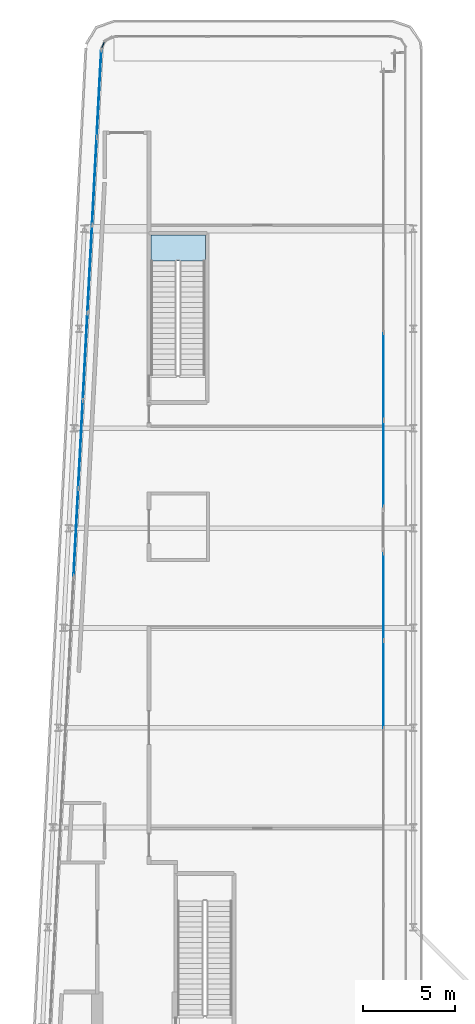
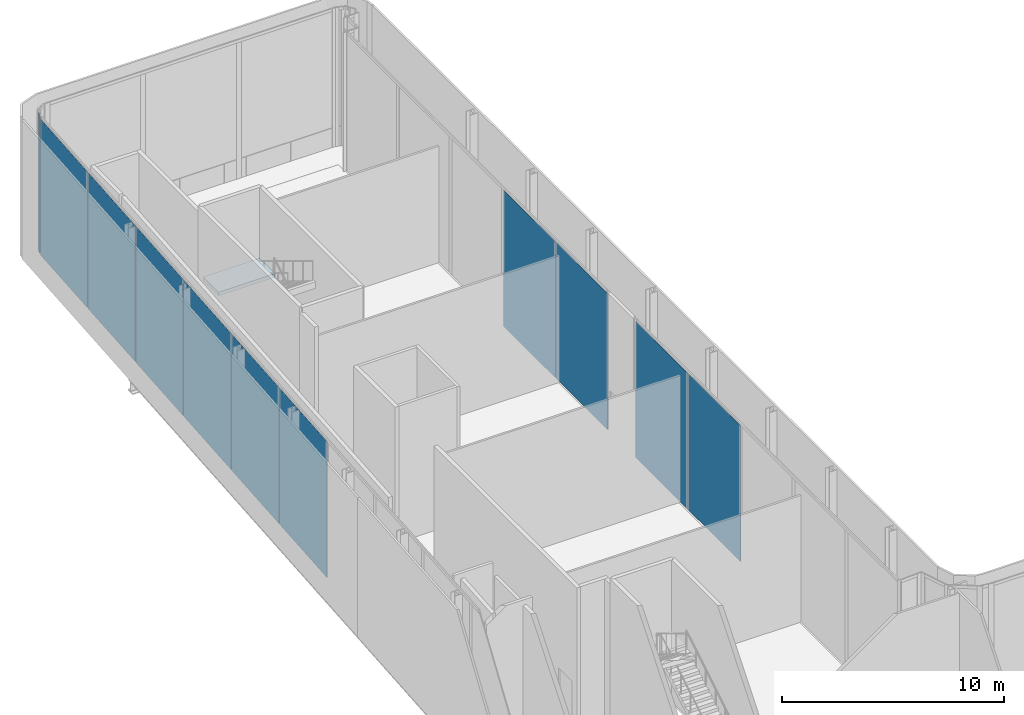
# One storey, part 18 of 27: 11 plates, 1 slab, 5 elements without a shape of their own.
"""IFC4 building model written with IfcOpenShell, lengths in metres."""

from ifc_helpers import new_model, si_unit, direction, frame, origin, origin_2d, place, context, subcontext, project, spatial, polyline, rectangle, outline, extrude, material, layer, layer_set, type_object, element, aggregate, save


model = new_model("IFC4")

# Units and contexts
model_context = context("Model", 3, precision=1e-05, world=origin(), true_north=direction((0.0, 1.0)))
body_context = subcontext(model_context, "Body", "Model", "MODEL_VIEW")
ifc_project = project(units=[si_unit("LENGTHUNIT", "METRE"), si_unit("AREAUNIT", "SQUARE_METRE"), si_unit("VOLUMEUNIT", "CUBIC_METRE"), si_unit("PLANEANGLEUNIT", "RADIAN"), si_unit("MASSUNIT", "GRAM", prefix="KILO")], contexts=[model_context])

# Site, building, storey
site_placement = place(None, origin())
site = spatial("IfcSite", under=ifc_project, at=site_placement, CompositionType="ELEMENT")
building_placement = place(site_placement, origin())
building = spatial("IfcBuilding", under=site, at=building_placement, Name="Kheshtan School and Residences Tower", CompositionType="ELEMENT")
storey_placement = place(building_placement, frame((0.0, 0.0, 266.89990234375)))
storey = spatial("IfcBuildingStorey", under=building, at=storey_placement, Name="L63", CompositionType="ELEMENT", Elevation=266.89990234375)

# Curtain wall, plates
ifc_material_1 = material(Name="Clear low-e glass in thermally broken aluminium frame", Category="aluminium")
ifc_layer_1 = layer(ifc_material_1, 0.25)
ifc_layer_set_1 = layer_set([ifc_layer_1], Name="Curtain wall CW-G")
curtain_wall_type_1 = type_object("IfcCurtainWallType", Name="Curtain wall CW-G", PredefinedType="NOTDEFINED", material=ifc_layer_set_1)
curtain_wall_1_placement = place(storey_placement, origin())
curtain_wall_1 = element("IfcCurtainWall", 1, at=curtain_wall_1_placement, inside=storey, type_object=curtain_wall_type_1, Name="Curtain wall CWG19b", PredefinedType="NOTDEFINED")
ifc_layer_2 = layer(ifc_material_1, 0.0380859375)
ifc_layer_set_2 = layer_set([ifc_layer_2], Name="CW-G glass panel")
plate_type_1 = type_object("IfcPlateType", Name="CW-G glass panel", PredefinedType="CURTAIN_PANEL", material=ifc_layer_set_2)
plate_1_placement = place(storey_placement, frame((46.0, 80.81005859375, 0.0), z_axis=(0.0, 0.0, 1.0), x_axis=(0.0, -1.0, 0.0)))
plate_1 = element("IfcPlate", 2, at=plate_1_placement, type_object=plate_type_1, Name="CWG19b panel 4.1", PredefinedType="CURTAIN_PANEL", context=body_context, shape_type="SweptSolid", body=[
    extrude(rectangle(XDim=4.679931640625, YDim=0.0380859375, at=origin_2d()), origin(), (0.0, 0.0, 1.0), 7.489990234375),
])
plate_2_placement = place(storey_placement, frame((46.0, 76.0849609375, 0.0), z_axis=(0.0, 0.0, 1.0), x_axis=(0.0, -1.0, 0.0)))
plate_2 = element("IfcPlate", 3, at=plate_2_placement, type_object=plate_type_1, Name="CWG19b panel 5.1", PredefinedType="CURTAIN_PANEL", context=body_context, shape_type="SweptSolid", body=[
    extrude(rectangle(XDim=4.64990234375, YDim=0.0380859375, at=origin_2d()), origin(), (0.0, 0.0, 1.0), 7.489990234375),
])
aggregate(curtain_wall_1, [plate_1, plate_2])

curtain_wall_2_placement = place(storey_placement, origin())
curtain_wall_2 = element("IfcCurtainWall", 4, at=curtain_wall_2_placement, inside=storey, type_object=curtain_wall_type_1, Name="Curtain wall CWG19c", PredefinedType="NOTDEFINED")
plate_3_placement = place(storey_placement, frame((46.0, 68.89794921875, 0.0), z_axis=(0.0, 0.0, 1.0), x_axis=(0.0, -1.0, 0.0)))
plate_3 = element("IfcPlate", 5, at=plate_3_placement, type_object=plate_type_1, Name="CWG19c panel 1.1", PredefinedType="CURTAIN_PANEL", context=body_context, shape_type="SweptSolid", body=[
    extrude(rectangle(XDim=4.68408203125, YDim=0.0380859375, at=origin_2d()), origin(), (0.0, 0.0, 1.0), 7.489990234375),
])
plate_4_placement = place(storey_placement, frame((46.0, 64.138916015625, 0.0), z_axis=(0.0, 0.0, 1.0), x_axis=(0.0, -1.0, 0.0)))
plate_4 = element("IfcPlate", 6, at=plate_4_placement, type_object=plate_type_1, Name="CWG19c panel 2.1", PredefinedType="CURTAIN_PANEL", context=body_context, shape_type="SweptSolid", body=[
    extrude(rectangle(XDim=4.714111328125, YDim=0.0380859375, at=origin_2d()), origin(), (0.0, 0.0, 1.0), 7.489990234375),
])
aggregate(curtain_wall_2, [plate_3, plate_4])

ifc_layer_3 = layer(ifc_material_1, 0.25)
ifc_layer_set_3 = layer_set([ifc_layer_3], Name="Curtain wall CW-K")
curtain_wall_type_2 = type_object("IfcCurtainWallType", Name="Curtain wall CW-K", PredefinedType="NOTDEFINED", material=ifc_layer_set_3)
curtain_wall_3_placement = place(storey_placement, origin())
curtain_wall_3 = element("IfcCurtainWall", 7, at=curtain_wall_3_placement, inside=storey, type_object=curtain_wall_type_2, Name="Curtain wall CWK10a", PredefinedType="NOTDEFINED")
ifc_layer_4 = layer(ifc_material_1, 0.0380859375)
ifc_layer_set_4 = layer_set([ifc_layer_4], Name="CW-K glass panel")
plate_type_2 = type_object("IfcPlateType", Name="CW-K glass panel", PredefinedType="CURTAIN_PANEL", material=ifc_layer_set_4)
plate_5_placement = place(storey_placement, frame((29.346435546875, 72.369384765625, 0.0), z_axis=(0.0, 0.0, 1.0), x_axis=(0.05256513568, 0.998617497599, 0.0)))
plate_5 = element("IfcPlate", 8, at=plate_5_placement, type_object=plate_type_2, Name="CWK10a panel 9.1", PredefinedType="CURTAIN_PANEL", context=body_context, shape_type="SweptSolid", body=[
    extrude(rectangle(XDim=4.69873046875, YDim=0.0380859375, at=origin_2d()), origin(), (0.0, 0.0, 1.0), 7.489990234375),
])
plate_6_placement = place(storey_placement, frame((29.596435546875, 77.12158203125, 0.0), z_axis=(0.0, 0.0, 1.0), x_axis=(0.05256513568, 0.998617497599, 0.0)))
plate_6 = element("IfcPlate", 9, at=plate_6_placement, type_object=plate_type_2, Name="CWK10a panel 10.1", PredefinedType="CURTAIN_PANEL", context=body_context, shape_type="SweptSolid", body=[
    extrude(rectangle(XDim=4.69873046875, YDim=0.0380859375, at=origin_2d()), origin(), (0.0, 0.0, 1.0), 7.489990234375),
])
plate_7_placement = place(storey_placement, frame((29.8466796875, 81.873779296875, 0.0), z_axis=(0.0, 0.0, 1.0), x_axis=(0.05256513568, 0.998617497599, 0.0)))
plate_7 = element("IfcPlate", 10, at=plate_7_placement, type_object=plate_type_2, Name="CWK10a panel 11.1", PredefinedType="CURTAIN_PANEL", context=body_context, shape_type="SweptSolid", body=[
    extrude(rectangle(XDim=4.69873046875, YDim=0.0380859375, at=origin_2d()), origin(), (0.0, 0.0, 1.0), 7.489990234375),
])
plate_8_placement = place(storey_placement, frame((30.0966796875, 86.6259765625, 0.0), z_axis=(0.0, 0.0, 1.0), x_axis=(0.05256513568, 0.998617497599, 0.0)))
plate_8 = element("IfcPlate", 11, at=plate_8_placement, type_object=plate_type_2, Name="CWK10a panel 12.1", PredefinedType="CURTAIN_PANEL", context=body_context, shape_type="SweptSolid", body=[
    extrude(rectangle(XDim=4.69873046875, YDim=0.0380859375, at=origin_2d()), origin(), (0.0, 0.0, 1.0), 7.489990234375),
])
plate_9_placement = place(storey_placement, frame((30.346923828125, 91.3779296875, 0.0), z_axis=(0.0, 0.0, 1.0), x_axis=(0.05256513568, 0.998617497599, 0.0)))
plate_9 = element("IfcPlate", 12, at=plate_9_placement, type_object=plate_type_2, Name="CWK10a panel 13.1", PredefinedType="CURTAIN_PANEL", context=body_context, shape_type="SweptSolid", body=[
    extrude(rectangle(XDim=4.69873046875, YDim=0.0380859375, at=origin_2d()), origin(), (0.0, 0.0, 1.0), 7.489990234375),
])
plate_10_placement = place(storey_placement, frame((30.59619140625, 96.115234375, 0.0), z_axis=(0.0, 0.0, 1.0), x_axis=(0.05256513568, 0.998617497599, 0.0)))
plate_10 = element("IfcPlate", 13, at=plate_10_placement, type_object=plate_type_2, Name="CWK10a panel 14.1", PredefinedType="CURTAIN_PANEL", context=body_context, shape_type="SweptSolid", body=[
    extrude(rectangle(XDim=4.668701171875, YDim=0.0380859375, at=origin_2d()), origin(), (0.0, 0.0, 1.0), 7.489990234375),
])
aggregate(curtain_wall_3, [plate_5, plate_6, plate_7, plate_8, plate_9, plate_10])

# Curtain wall, plate
curtain_wall_4_placement = place(storey_placement, origin())
curtain_wall_4 = element("IfcCurtainWall", 14, at=curtain_wall_4_placement, inside=storey, type_object=curtain_wall_type_2, Name="Curtain wall CWK11a", PredefinedType="NOTDEFINED")
plate_11_placement = place(storey_placement, frame((30.8095703125, 98.739501953125, 0.0), z_axis=(0.0, 0.0, 1.0), x_axis=(0.370993348125, 0.928635523576, 0.0)))
plate_11 = element("IfcPlate", 15, at=plate_11_placement, type_object=plate_type_2, Name="CWK11a panel 1.1", PredefinedType="CURTAIN_PANEL", context=body_context, shape_type="SweptSolid", body=[
    extrude(rectangle(XDim=0.31396484375, YDim=0.0380859375, at=origin_2d()), origin(), (0.0, 0.0, 1.0), 7.489990234375),
])
aggregate(curtain_wall_4, [plate_11])

# Stair, slab
ifc_material_2 = material(Name="Concrete C40/50", Category="concrete")
stair_type = type_object("IfcStairType", Name="Exit stair, half-turn", PredefinedType="HALF_TURN_STAIR", material=ifc_material_2)
stair_placement = place(storey_placement, origin())
stair = element("IfcStair", 16, at=stair_placement, inside=storey, type_object=stair_type, Name="L63 Protected Exit Stair ST3", PredefinedType="HALF_TURN_STAIR")
ifc_layer_5 = layer(ifc_material_2, 0.199951171875)
ifc_layer_set_5 = layer_set([ifc_layer_5], Name="Stair landing 200 Concrete C40/50")
slab_type = type_object("IfcSlabType", Name="Stair landing 200 Concrete C40/50", PredefinedType="LANDING", material=ifc_layer_set_5)
slab_placement = place(storey_placement, frame((0.0, 0.0, 3.7001953125)))
slab = element("IfcSlab", 17, at=slab_placement, type_object=slab_type, Name="ST3 landing 1", PredefinedType="LANDING", context=body_context, shape_type="SweptSolid", body=[
    extrude(outline(polyline([(36.35009765625, 87.06005859375), (36.35009765625, 88.4599609375), (33.39990234375, 88.4599609375), (33.39990234375, 87.06005859375), (36.35009765625, 87.06005859375)])), origin(), (0.0, 0.0, 1.0), 0.199951171875),
])
aggregate(stair, [slab])

save(model, "model.ifc")
